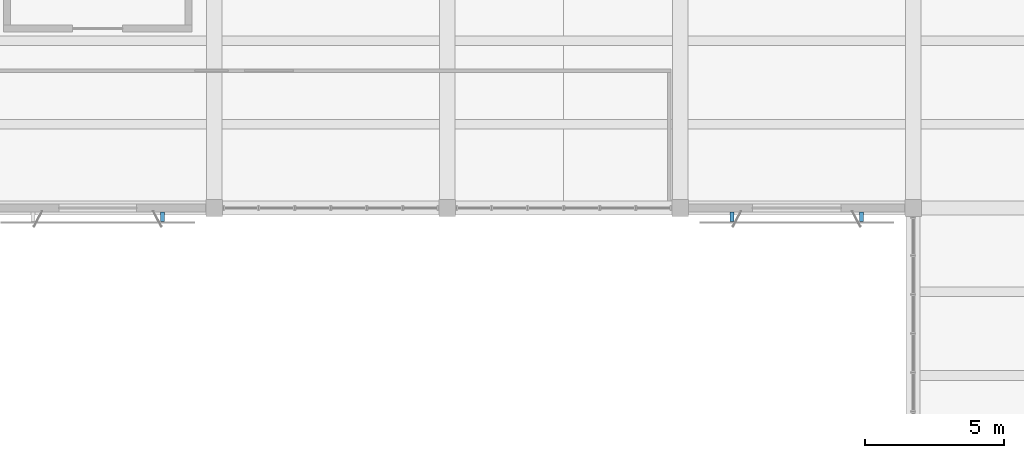
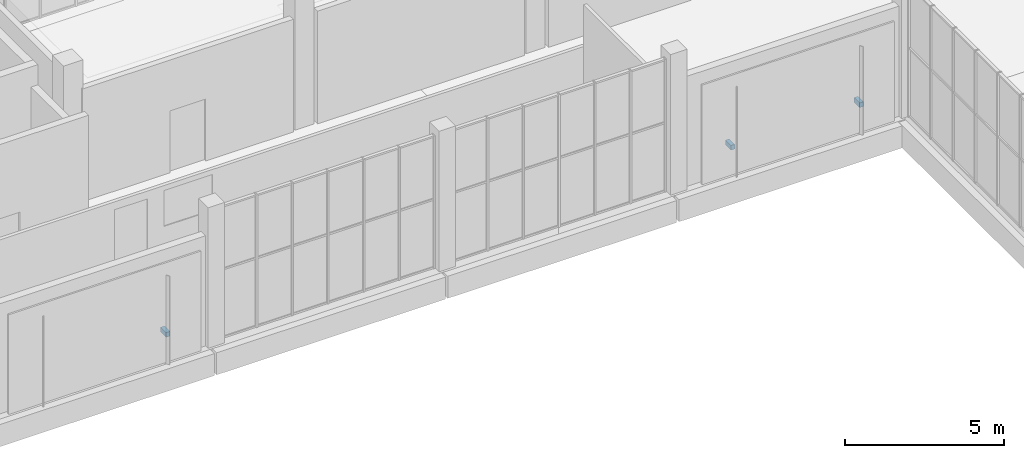
# One storey, part 123 of 132: 3 discrete accessories.
"""IFC4 building model written with IfcOpenShell, lengths in metres."""

from ifc_helpers import new_model, si_unit, direction, frame, origin, origin_2d, place, context, subcontext, project, spatial, rectangle, extrude, material, type_object, element, save


model = new_model("IFC4")

# Units and contexts
model_context = context("Model", 3, precision=1e-05, world=origin(), true_north=direction((0.0, 1.0)))
body_context = subcontext(model_context, "Body", "Model", "MODEL_VIEW")
ifc_project = project(units=[si_unit("LENGTHUNIT", "METRE"), si_unit("AREAUNIT", "SQUARE_METRE"), si_unit("VOLUMEUNIT", "CUBIC_METRE"), si_unit("PLANEANGLEUNIT", "RADIAN"), si_unit("MASSUNIT", "GRAM", prefix="KILO")], contexts=[model_context])

# Site, building, storey
site_placement = place(None, origin())
site = spatial("IfcSite", under=ifc_project, at=site_placement, CompositionType="ELEMENT")
building_placement = place(site_placement, origin())
building = spatial("IfcBuilding", under=site, at=building_placement, Name="Khurvash Pelagic Aquarium", CompositionType="ELEMENT")
storey_placement = place(building_placement, frame((0.0, 0.0, 5.39990234375)))
storey = spatial("IfcBuildingStorey", under=building, at=storey_placement, Name="L01", CompositionType="ELEMENT", Elevation=5.39990234375)

# Discrete accessories
ifc_material = material(Name="Hot-dip galvanised steel S355J2", Category="steel")
discrete_accessory_type = type_object("IfcDiscreteAccessoryType", Name="BK-01", PredefinedType="BRACKET", material=ifc_material)
for number, where, z_axis, x_axis, name in (
    (1, (73.737060546875, 83.735107421875, 1.1103515625), (0.0, 0.0, 1.0), (1.0, 0.0, 0.0), "L01 Jali Screen Support Bracket BK-01 0020"),
    (2, (94.262939453125, 83.735107421875, 1.1103515625), (0.0, 0.0, 1.0), (1.0, 0.0, 0.0), "L01 Jali Screen Support Bracket BK-01 0021"),
    (3, (98.93701171875, 83.735107421875, 1.1103515625), (0.0, 0.0, 1.0), (1.0, 0.0, 0.0), "L01 Jali Screen Support Bracket BK-01 0022"),
):
    element("IfcDiscreteAccessory", number, at=place(storey_placement, frame(where, z_axis=z_axis, x_axis=x_axis)), inside=storey, type_object=discrete_accessory_type, Name=name, PredefinedType="BRACKET", context=body_context, shape_type="SweptSolid", body=[
        extrude(rectangle(XDim=0.139892578125, YDim=0.35009765625, at=origin_2d()), origin(), (0.0, 0.0, 1.0), 0.179931640625),
    ])

save(model, "model.ifc")
